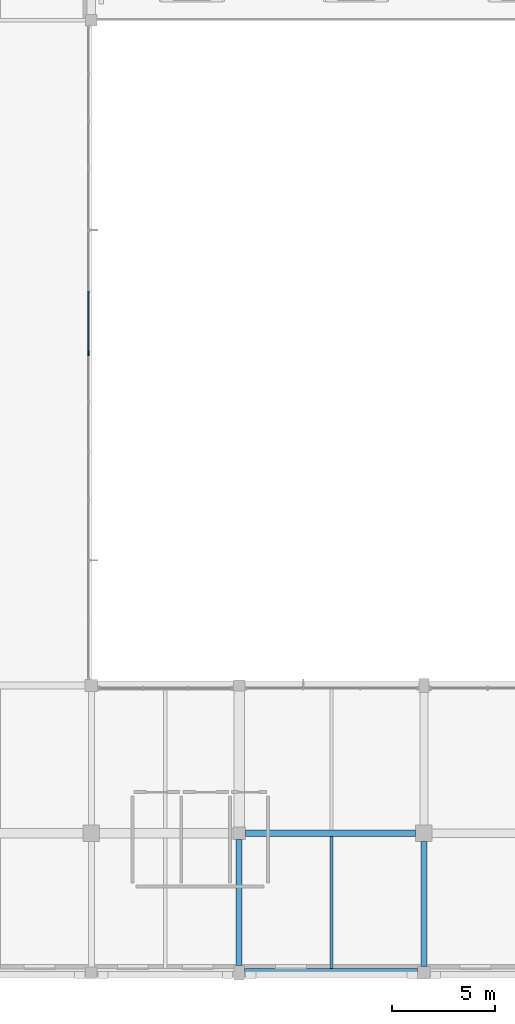
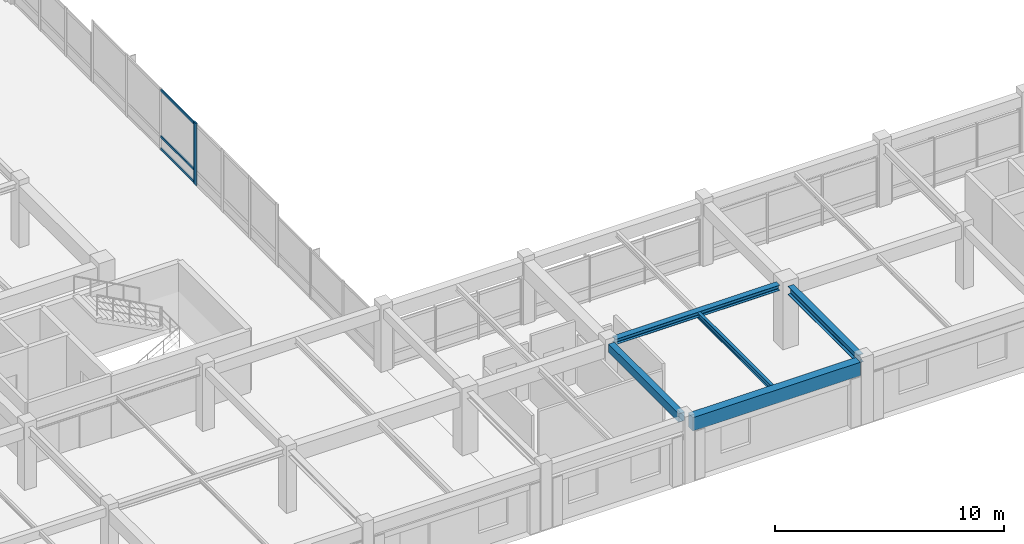
# One storey, part 7 of 74: 5 beams, 5 members, 2 elements without a shape of their own.
"""IFC4 building model written with IfcOpenShell, lengths in metres."""

from ifc_helpers import new_model, si_unit, direction, frame, origin, origin_2d, place, context, subcontext, project, spatial, rectangle, i_section, extrude, material, material_profile, profile_set, type_object, element, aggregate, save


model = new_model("IFC4")

# Units and contexts
model_context = context("Model", 3, precision=1e-05, world=origin(), true_north=direction((0.0, 1.0)))
body_context = subcontext(model_context, "Body", "Model", "MODEL_VIEW")
ifc_project = project(units=[si_unit("LENGTHUNIT", "METRE"), si_unit("AREAUNIT", "SQUARE_METRE"), si_unit("VOLUMEUNIT", "CUBIC_METRE"), si_unit("PLANEANGLEUNIT", "RADIAN"), si_unit("MASSUNIT", "GRAM", prefix="KILO")], contexts=[model_context])

# Site, building, storey
site_placement = place(None, origin())
site = spatial("IfcSite", under=ifc_project, at=site_placement, CompositionType="ELEMENT")
building_placement = place(site_placement, origin())
building = spatial("IfcBuilding", under=site, at=building_placement, Name="Clarverna Civic Hall", CompositionType="ELEMENT")
storey_placement = place(building_placement, frame((0.0, 0.0, 9.60009765625)))
storey = spatial("IfcBuildingStorey", under=building, at=storey_placement, Name="L02", CompositionType="ELEMENT", Elevation=9.60009765625)

# Beams
ifc_material_1 = material(Name="Concrete C35/45", Category="concrete")
ifc_material_profile_1 = material_profile(ifc_material_1, rectangle(XDim=0.300048828125, YDim=0.449951171875, at=origin_2d()), Name="RC 300x450")
ifc_profile_set_1 = profile_set([ifc_material_profile_1], Name="Concrete C35/45")
beam_type_1 = type_object("IfcBeamType", Name="B-RC18", PredefinedType="BEAM", material=ifc_profile_set_1)
beam_1_placement = place(storey_placement, frame((32.39990234375, 0.35009765625, 3.094970703125), z_axis=(0.0, 1.0, 0.0), x_axis=(-1.0, 0.0, 0.0)))
element("IfcBeam", 1, at=beam_1_placement, inside=storey, type_object=beam_type_1, Name="B-RC18-037", PredefinedType="BEAM", context=body_context, shape_type="SweptSolid", body=[
    extrude(rectangle(XDim=0.300048828125, YDim=0.449951171875, at=origin_2d()), origin(), (0.0, 0.0, 1.0), 6.14990234375),
])
ifc_material_profile_2 = material_profile(ifc_material_1, rectangle(XDim=0.419921875, YDim=0.719970703125, at=origin_2d()), Name="RC 420x720")
ifc_profile_set_2 = profile_set([ifc_material_profile_2], Name="Concrete C35/45")
beam_type_2 = type_object("IfcBeamType", Name="B-SP1", PredefinedType="SPANDREL", material=ifc_profile_set_2)
beam_2_placement = place(storey_placement, frame((32.64990234375, 0.0, 2.9599609375), z_axis=(1.0, 0.0, 0.0), x_axis=(0.0, 1.0, 0.0)))
element("IfcBeam", 2, at=beam_2_placement, inside=storey, type_object=beam_type_2, Name="B-SP1-082", PredefinedType="SPANDREL", context=body_context, shape_type="SweptSolid", body=[
    extrude(rectangle(XDim=0.419921875, YDim=0.719970703125, at=origin_2d()), origin(), (0.0, 0.0, 1.0), 8.4501953125),
])
ifc_material_2 = material(Name="Steel S355", Category="steel")
ifc_material_profile_3 = material_profile(ifc_material_2, i_section(OverallWidth=0.300048828125, OverallDepth=0.2900390625, WebThickness=0.008544921875, FlangeThickness=0.013916015625, FilletRadius=0.027099609375, at=origin_2d()), Name="HEA 300")
ifc_profile_set_3 = profile_set([ifc_material_profile_3], Name="Steel S355")
beam_type_3 = type_object("IfcBeamType", Name="B-ST10", PredefinedType="BEAM", material=ifc_profile_set_3)
beam_3_placement = place(storey_placement, frame((32.699951171875, 6.800048828125, 3.1748046875), z_axis=(1.0, 0.0, 0.0), x_axis=(0.0, 1.0, 0.0)))
element("IfcBeam", 3, at=beam_3_placement, inside=storey, type_object=beam_type_3, Name="B-ST10-007", PredefinedType="BEAM", context=body_context, shape_type="SweptSolid", body=[
    extrude(i_section(OverallWidth=0.300048828125, OverallDepth=0.2900390625, WebThickness=0.008544921875, FlangeThickness=0.013916015625, FilletRadius=0.027099609375, at=origin_2d()), origin(), (0.0, 0.0, 1.0), 8.300048828125),
])
ifc_material_profile_4 = material_profile(ifc_material_2, i_section(OverallWidth=0.300048828125, OverallDepth=0.43994140625, WebThickness=0.011474609375, FlangeThickness=0.02099609375, FilletRadius=0.027099609375, at=origin_2d()), Name="HEA 450")
ifc_profile_set_4 = profile_set([ifc_material_profile_4], Name="Steel S355")
beam_type_4 = type_object("IfcBeamType", Name="B-ST5", PredefinedType="BEAM", material=ifc_profile_set_4)
beam_4_placement = place(storey_placement, frame((41.39990234375, 0.300048828125, 3.099853515625), z_axis=(0.0, 1.0, 0.0), x_axis=(-1.0, 0.0, 0.0)))
element("IfcBeam", 4, at=beam_4_placement, inside=storey, type_object=beam_type_4, Name="B-ST5-082", PredefinedType="BEAM", context=body_context, shape_type="SweptSolid", body=[
    extrude(i_section(OverallWidth=0.300048828125, OverallDepth=0.43994140625, WebThickness=0.011474609375, FlangeThickness=0.02099609375, FilletRadius=0.027099609375, at=origin_2d()), origin(), (0.0, 0.0, 1.0), 6.099853515625),
])

# Curtain wall, member
ifc_material_3 = material(Name="Anodised Bronze Architectural Aluminium", Category="aluminium")
curtain_wall_type = type_object("IfcCurtainWallType", Name="CW-01", PredefinedType="USERDEFINED", material=ifc_material_3)
curtain_wall_1_placement = place(storey_placement, origin())
curtain_wall_1 = element("IfcCurtainWall", 5, at=curtain_wall_1_placement, inside=storey, type_object=curtain_wall_type, Name="CW-01-055", ObjectType="UNITISED CURTAIN WALL", PredefinedType="USERDEFINED")
ifc_material_profile_5 = material_profile(ifc_material_3, rectangle(XDim=0.06005859375, YDim=0.159912109375, at=origin_2d()), Name="BRONZE 60x160")
ifc_profile_set_5 = profile_set([ifc_material_profile_5], Name="Anodised Bronze Architectural Aluminium")
member_type_1 = type_object("IfcMemberType", Name="CWM-02", PredefinedType="MULLION", material=ifc_profile_set_5)
member_1_placement = place(storey_placement, frame((25.06005859375, 30.23291015625, 0.0), z_axis=(0.0, 0.0, 1.0), x_axis=(1.0, 0.0, 0.0)))
member_1 = element("IfcMember", 6, at=member_1_placement, type_object=member_type_1, Name="CWM-02-136", PredefinedType="MULLION", context=body_context, shape_type="SweptSolid", body=[
    extrude(rectangle(XDim=0.06005859375, YDim=0.159912109375, at=origin_2d()), origin(), (0.0, 0.0, 1.0), 3.31982421875),
])

curtain_wall_2_placement = place(storey_placement, origin())
curtain_wall_2 = element("IfcCurtainWall", 7, at=curtain_wall_2_placement, inside=storey, type_object=curtain_wall_type, Name="CW-01-056", ObjectType="UNITISED CURTAIN WALL", PredefinedType="USERDEFINED")
ifc_material_profile_6 = material_profile(ifc_material_3, rectangle(XDim=0.06494140625, YDim=0.199951171875, at=origin_2d()), Name="BRONZE 65x200")
ifc_profile_set_6 = profile_set([ifc_material_profile_6], Name="Anodised Bronze Architectural Aluminium")
member_type_2 = type_object("IfcMemberType", Name="CWM-03", PredefinedType="MULLION", material=ifc_profile_set_6)
member_2_placement = place(storey_placement, frame((25.06005859375, 30.1669921875, 0.0), z_axis=(0.0, 0.0, 1.0), x_axis=(1.0, 0.0, 0.0)))
member_2 = element("IfcMember", 8, at=member_2_placement, type_object=member_type_2, Name="CWM-03-109", PredefinedType="MULLION", context=body_context, shape_type="SweptSolid", body=[
    extrude(rectangle(XDim=0.06494140625, YDim=0.199951171875, at=origin_2d()), origin(), (0.0, 0.0, 1.0), 3.31982421875),
])
aggregate(curtain_wall_2, [member_2])

# Member
ifc_material_profile_7 = material_profile(ifc_material_3, rectangle(XDim=0.06005859375, YDim=0.1298828125, at=origin_2d()), Name="BRONZE 60x130")
ifc_profile_set_7 = profile_set([ifc_material_profile_7], Name="Anodised Bronze Architectural Aluminium")
member_type_3 = type_object("IfcMemberType", Name="CWT-02", PredefinedType="USERDEFINED", material=ifc_profile_set_7)
member_3_placement = place(storey_placement, frame((25.06005859375, 33.196044921875, 0.094970703125), z_axis=(0.0, -1.0, 0.0), x_axis=(1.0, 0.0, 0.0)))
member_3 = element("IfcMember", 9, at=member_3_placement, type_object=member_type_3, Name="CWT-02-283", ObjectType="TRANSOM", PredefinedType="USERDEFINED", context=body_context, shape_type="SweptSolid", body=[
    extrude(rectangle(XDim=0.06005859375, YDim=0.1298828125, at=origin_2d()), origin(), (0.0, 0.0, 1.0), 2.947998046875),
])

member_4_placement = place(storey_placement, frame((25.06005859375, 33.196044921875, 0.75), z_axis=(0.0, -1.0, 0.0), x_axis=(1.0, 0.0, 0.0)))
member_4 = element("IfcMember", 10, at=member_4_placement, type_object=member_type_3, Name="CWT-02-284", ObjectType="TRANSOM", PredefinedType="USERDEFINED", context=body_context, shape_type="SweptSolid", body=[
    extrude(rectangle(XDim=0.06005859375, YDim=0.1298828125, at=origin_2d()), origin(), (0.0, 0.0, 1.0), 2.947998046875),
])

member_5_placement = place(storey_placement, frame((25.06005859375, 33.196044921875, 3.224853515625), z_axis=(0.0, -1.0, 0.0), x_axis=(1.0, 0.0, 0.0)))
member_5 = element("IfcMember", 11, at=member_5_placement, type_object=member_type_3, Name="CWT-02-285", ObjectType="TRANSOM", PredefinedType="USERDEFINED", context=body_context, shape_type="SweptSolid", body=[
    extrude(rectangle(XDim=0.06005859375, YDim=0.1298828125, at=origin_2d()), origin(), (0.0, 0.0, 1.0), 2.947998046875),
])

aggregate(curtain_wall_1, [member_1, member_3, member_4, member_5])

# Beam
ifc_material_profile_8 = material_profile(ifc_material_2, i_section(OverallWidth=0.14990234375, OverallDepth=0.300048828125, WebThickness=0.007080078125, FlangeThickness=0.0107421875, FilletRadius=0.014892578125, at=origin_2d()), Name="IPE 300")
ifc_profile_set_8 = profile_set([ifc_material_profile_8], Name="Steel S355")
beam_type_5 = type_object("IfcBeamType", Name="J-ST3", PredefinedType="JOIST", material=ifc_profile_set_8)
beam_5_placement = place(storey_placement, frame((36.89990234375, 0.2099609375, 3.169921875), z_axis=(0.0, 1.0, 0.0), x_axis=(-1.0, 0.0, 0.0)))
element("IfcBeam", 12, at=beam_5_placement, inside=storey, type_object=beam_type_5, Name="J-ST3-048", PredefinedType="JOIST", context=body_context, shape_type="SweptSolid", body=[
    extrude(i_section(OverallWidth=0.14990234375, OverallDepth=0.300048828125, WebThickness=0.007080078125, FlangeThickness=0.0107421875, FilletRadius=0.014892578125, at=origin_2d()), origin(), (0.0, 0.0, 1.0), 6.43994140625),
])

save(model, "model.ifc")
